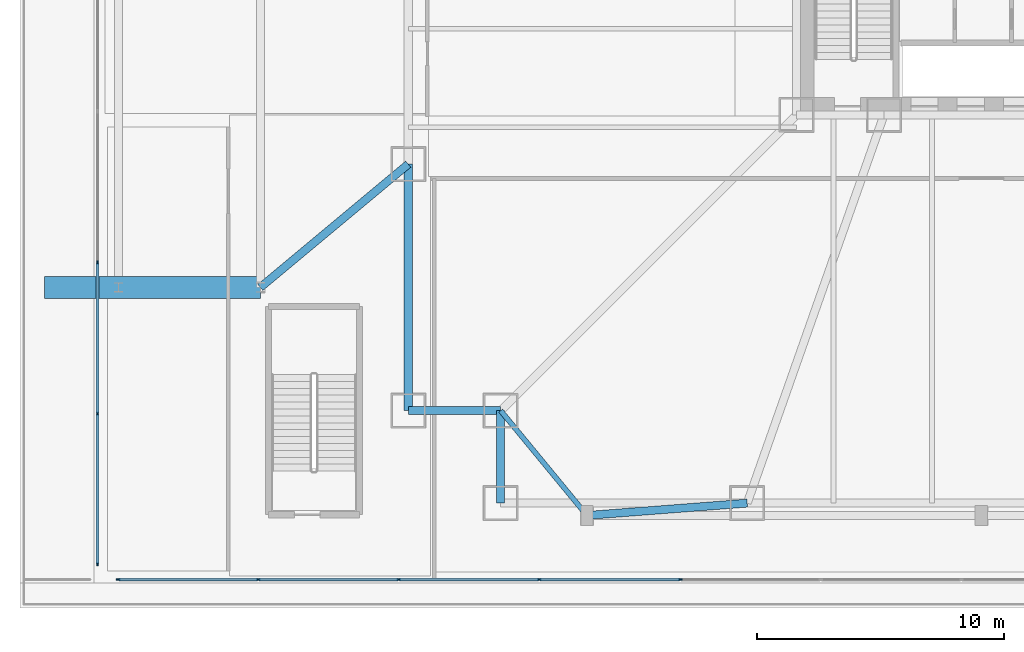
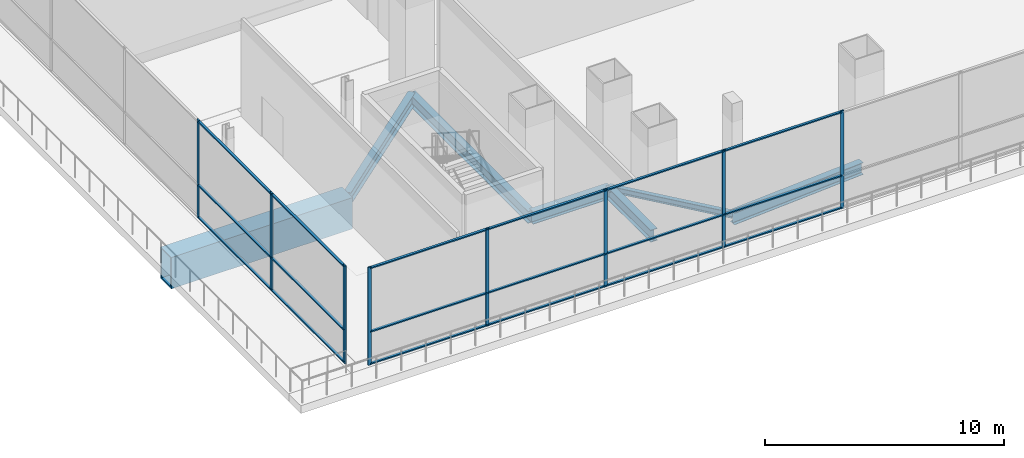
# One storey, part 5 of 35: 26 members, 7 beams, 2 elements without a shape of their own.
"""IFC4 building model written with IfcOpenShell, lengths in metres."""

from ifc_helpers import new_model, si_unit, direction, frame, origin, origin_2d, place, context, subcontext, project, spatial, rectangle, hollow_rectangle, i_section, extrude, material, layer, layer_set, material_profile, profile_set, type_object, element, aggregate, save


model = new_model("IFC4")

# Units and contexts
model_context = context("Model", 3, precision=1e-05, world=origin(), true_north=direction((0.0, 1.0)))
body_context = subcontext(model_context, "Body", "Model", "MODEL_VIEW")
ifc_project = project(units=[si_unit("LENGTHUNIT", "METRE"), si_unit("AREAUNIT", "SQUARE_METRE"), si_unit("VOLUMEUNIT", "CUBIC_METRE"), si_unit("PLANEANGLEUNIT", "RADIAN"), si_unit("MASSUNIT", "GRAM", prefix="KILO")], contexts=[model_context])

# Site, building, storey
site_placement = place(None, origin())
site = spatial("IfcSite", under=ifc_project, at=site_placement, CompositionType="ELEMENT")
building_placement = place(site_placement, origin())
building = spatial("IfcBuilding", under=site, at=building_placement, Name="Trevonay Congress Spire", CompositionType="ELEMENT")
storey_placement = place(building_placement, frame((0.0, 0.0, 10.800048828125)))
storey = spatial("IfcBuildingStorey", under=building, at=storey_placement, Name="L02", CompositionType="ELEMENT", Elevation=10.800048828125)

# Beams
ifc_material_1 = material(Name="Steel ASTM A572 Grade 50", Category="steel")
ifc_material_profile_1 = material_profile(ifc_material_1, i_section(OverallWidth=0.324951171875, OverallDepth=0.615966796875, WebThickness=0.013916015625, FlangeThickness=0.021484375, FilletRadius=0.01806640625, at=origin_2d()), Name="W610x174")
ifc_profile_set_1 = profile_set([ifc_material_profile_1], Name="Steel ASTM A572 Grade 50")
beam_type_1 = type_object("IfcBeamType", Name="BM-GIRD-W610X174", PredefinedType="BEAM", material=ifc_profile_set_1)
beam_1_placement = place(storey_placement, frame((-19.5, -23.25, -0.7080078125), z_axis=(0.0, 1.0, 0.0), x_axis=(-1.0, 0.0, 0.0)))
element("IfcBeam", 1, at=beam_1_placement, inside=storey, type_object=beam_type_1, Name="L02 structural beam BM-L02-CSW", PredefinedType="BEAM", context=body_context, shape_type="SweptSolid", body=[
    extrude(i_section(OverallWidth=0.324951171875, OverallDepth=0.615966796875, WebThickness=0.013916015625, FlangeThickness=0.021484375, FilletRadius=0.01806640625, at=origin_2d()), origin(), (0.0, 0.0, 1.0), 3.75),
])
beam_2_placement = place(storey_placement, frame((-23.25, -19.5, -0.7080078125), z_axis=(0.0, 1.0, 0.0), x_axis=(-1.0, 0.0, 0.0)))
element("IfcBeam", 2, at=beam_2_placement, inside=storey, type_object=beam_type_1, Name="L02 structural beam BM-L02-MW1", PredefinedType="BEAM", context=body_context, shape_type="SweptSolid", body=[
    extrude(i_section(OverallWidth=0.324951171875, OverallDepth=0.615966796875, WebThickness=0.013916015625, FlangeThickness=0.021484375, FilletRadius=0.01806640625, at=origin_2d()), origin(), (0.0, 0.0, 1.0), 10.0),
])
beam_3_placement = place(storey_placement, frame((-23.25, -19.5, -0.7080078125), z_axis=(1.0, 0.0, 0.0), x_axis=(0.0, 1.0, 0.0)))
element("IfcBeam", 3, at=beam_3_placement, inside=storey, type_object=beam_type_1, Name="L02 structural beam BM-L02-CWS", PredefinedType="BEAM", context=body_context, shape_type="SweptSolid", body=[
    extrude(i_section(OverallWidth=0.324951171875, OverallDepth=0.615966796875, WebThickness=0.013916015625, FlangeThickness=0.021484375, FilletRadius=0.01806640625, at=origin_2d()), origin(), (0.0, 0.0, 1.0), 3.75),
])
beam_4_placement = place(storey_placement, frame((-23.25, -9.5, -0.7080078125), z_axis=(-0.768221279597, -0.640184399664, 0.0), x_axis=(0.640184399664, -0.768221279597, 0.0)))
element("IfcBeam", 4, at=beam_4_placement, inside=storey, type_object=beam_type_1, Name="L02 structural beam BM-L02-POD-WT1", PredefinedType="BEAM", context=body_context, shape_type="SweptSolid", body=[
    extrude(i_section(OverallWidth=0.324951171875, OverallDepth=0.615966796875, WebThickness=0.013916015625, FlangeThickness=0.021484375, FilletRadius=0.01806640625, at=origin_2d()), origin(), (0.0, 0.0, 1.0), 7.810302734375),
])
beam_5_placement = place(storey_placement, frame((-9.5, -23.25, -0.7080078125), z_axis=(-0.997054485502, -0.076696498885, 0.0), x_axis=(0.076696498885, -0.997054485502, 0.0)))
element("IfcBeam", 5, at=beam_5_placement, inside=storey, type_object=beam_type_1, Name="L02 structural beam BM-L02-PIL-TS1", PredefinedType="BEAM", context=body_context, shape_type="SweptSolid", body=[
    extrude(i_section(OverallWidth=0.324951171875, OverallDepth=0.615966796875, WebThickness=0.013916015625, FlangeThickness=0.021484375, FilletRadius=0.01806640625, at=origin_2d()), origin(), (0.0, 0.0, 1.0), 6.519287109375),
])
ifc_material_profile_2 = material_profile(ifc_material_1, hollow_rectangle(XDim=0.89990234375, YDim=1.60009765625, WallThickness=0.06005859375, at=origin_2d()), Name="BOX 1600x900x60")
ifc_profile_set_2 = profile_set([ifc_material_profile_2], Name="Steel ASTM A572 Grade 50")
beam_type_2 = type_object("IfcBeamType", Name="BM-XFER-BOX1600", PredefinedType="BEAM", material=ifc_profile_set_2)
beam_6_placement = place(storey_placement, frame((-29.25, -14.5, -1.199951171875), z_axis=(-1.0, 0.0, 0.0), x_axis=(0.0, -1.0, 0.0)))
element("IfcBeam", 6, at=beam_6_placement, inside=storey, type_object=beam_type_2, Name="L02 structural beam BM-L02-EXW-S", PredefinedType="BEAM", context=body_context, shape_type="SweptSolid", body=[
    extrude(hollow_rectangle(XDim=0.89990234375, YDim=1.60009765625, WallThickness=0.06005859375, at=origin_2d()), origin(), (0.0, 0.0, 1.0), 8.75),
])

# Curtain wall, members
ifc_material_2 = material(Name="Pale Anodised Aluminium EN AW-6063-T6", Category="aluminium")
ifc_layer = layer(ifc_material_2, 0.179931640625, Name="Pale Anodised Aluminium EN AW-6063-T6")
ifc_layer_set = layer_set([ifc_layer], Name="Pale Anodised Aluminium EN AW-6063-T6")
curtain_wall_type = type_object("IfcCurtainWallType", Name="CW-SYS01-PODIUM-PALE-METAL", PredefinedType="NOTDEFINED", material=ifc_layer_set)
curtain_wall_1_placement = place(storey_placement, origin())
curtain_wall_1 = element("IfcCurtainWall", 7, at=curtain_wall_1_placement, inside=storey, type_object=curtain_wall_type, Name="L02 W1 podium curtain wall", PredefinedType="NOTDEFINED")
ifc_material_profile_3 = material_profile(ifc_material_2, rectangle(XDim=0.06005859375, YDim=0.159912109375, at=origin_2d()), Name="CW-MULLION-160-ALUMINIUM")
ifc_profile_set_3 = profile_set([ifc_material_profile_3], Name="Pale Anodised Aluminium EN AW-6063-T6")
member_type_1 = type_object("IfcMemberType", Name="CW-MULLION-160-ALUMINIUM", PredefinedType="MULLION", material=ifc_profile_set_3)
member_1_placement = place(storey_placement, frame((-35.85009765625, -25.719970703125, 0.0), z_axis=(0.0, 0.0, 1.0), x_axis=(-1.0, 0.0, 0.0)))
member_1 = element("IfcMember", 8, at=member_1_placement, type_object=member_type_1, Name="CW01 mullion 1", PredefinedType="MULLION", context=body_context, shape_type="SweptSolid", body=[
    extrude(rectangle(XDim=0.06005859375, YDim=0.159912109375, at=origin_2d()), origin(), (0.0, 0.0, 1.0), 5.0),
])
member_2_placement = place(storey_placement, frame((-35.85009765625, -19.6201171875, 0.0), z_axis=(0.0, 0.0, 1.0), x_axis=(-1.0, 0.0, 0.0)))
member_2 = element("IfcMember", 9, at=member_2_placement, type_object=member_type_1, Name="CW01 mullion 2", PredefinedType="MULLION", context=body_context, shape_type="SweptSolid", body=[
    extrude(rectangle(XDim=0.06005859375, YDim=0.159912109375, at=origin_2d()), origin(), (0.0, 0.0, 1.0), 5.0),
])
member_3_placement = place(storey_placement, frame((-35.85009765625, -13.489990234375, 0.0), z_axis=(0.0, 0.0, 1.0), x_axis=(-1.0, 0.0, 0.0)))
member_3 = element("IfcMember", 10, at=member_3_placement, type_object=member_type_1, Name="CW01 mullion 3", PredefinedType="MULLION", context=body_context, shape_type="SweptSolid", body=[
    extrude(rectangle(XDim=0.06005859375, YDim=0.159912109375, at=origin_2d()), origin(), (0.0, 0.0, 1.0), 5.0),
])

curtain_wall_2_placement = place(storey_placement, origin())
curtain_wall_2 = element("IfcCurtainWall", 11, at=curtain_wall_2_placement, inside=storey, type_object=curtain_wall_type, Name="L02 S1 podium curtain wall", PredefinedType="NOTDEFINED")
member_4_placement = place(storey_placement, frame((-35.02001953125, -26.35009765625, 0.0), z_axis=(0.0, 0.0, 1.0), x_axis=(0.0, 1.0, 0.0)))
member_4 = element("IfcMember", 12, at=member_4_placement, type_object=member_type_1, Name="CW01 mullion 1", PredefinedType="MULLION", context=body_context, shape_type="SweptSolid", body=[
    extrude(rectangle(XDim=0.06005859375, YDim=0.159912109375, at=origin_2d()), origin(), (0.0, 0.0, 1.0), 5.0),
])
member_5_placement = place(storey_placement, frame((-29.3427734375, -26.35009765625, 0.0), z_axis=(0.0, 0.0, 1.0), x_axis=(0.0, 1.0, 0.0)))
member_5 = element("IfcMember", 13, at=member_5_placement, type_object=member_type_1, Name="CW01 mullion 2", PredefinedType="MULLION", context=body_context, shape_type="SweptSolid", body=[
    extrude(rectangle(XDim=0.06005859375, YDim=0.159912109375, at=origin_2d()), origin(), (0.0, 0.0, 1.0), 5.0),
])
member_6_placement = place(storey_placement, frame((-23.6357421875, -26.35009765625, 0.0), z_axis=(0.0, 0.0, 1.0), x_axis=(0.0, 1.0, 0.0)))
member_6 = element("IfcMember", 14, at=member_6_placement, type_object=member_type_1, Name="CW01 mullion 3", PredefinedType="MULLION", context=body_context, shape_type="SweptSolid", body=[
    extrude(rectangle(XDim=0.06005859375, YDim=0.159912109375, at=origin_2d()), origin(), (0.0, 0.0, 1.0), 5.0),
])
member_7_placement = place(storey_placement, frame((-17.928466796875, -26.35009765625, 0.0), z_axis=(0.0, 0.0, 1.0), x_axis=(0.0, 1.0, 0.0)))
member_7 = element("IfcMember", 15, at=member_7_placement, type_object=member_type_1, Name="CW01 mullion 4", PredefinedType="MULLION", context=body_context, shape_type="SweptSolid", body=[
    extrude(rectangle(XDim=0.06005859375, YDim=0.159912109375, at=origin_2d()), origin(), (0.0, 0.0, 1.0), 5.0),
])
member_8_placement = place(storey_placement, frame((-12.221435546875, -26.35009765625, 0.0), z_axis=(0.0, 0.0, 1.0), x_axis=(0.0, 1.0, 0.0)))
member_8 = element("IfcMember", 16, at=member_8_placement, type_object=member_type_1, Name="CW01 mullion 5", PredefinedType="MULLION", context=body_context, shape_type="SweptSolid", body=[
    extrude(rectangle(XDim=0.06005859375, YDim=0.159912109375, at=origin_2d()), origin(), (0.0, 0.0, 1.0), 5.0),
])

# Member
ifc_material_profile_4 = material_profile(ifc_material_2, rectangle(XDim=0.1201171875, YDim=0.06005859375, at=origin_2d()), Name="CW-TRANSOM-120-ALUMINIUM")
ifc_profile_set_4 = profile_set([ifc_material_profile_4], Name="Pale Anodised Aluminium EN AW-6063-T6")
member_type_2 = type_object("IfcMemberType", Name="CW-TRANSOM-120-ALUMINIUM", PredefinedType="USERDEFINED", material=ifc_profile_set_4)
member_9_placement = place(storey_placement, frame((-35.85009765625, -25.68994140625, 0.06005859375), z_axis=(0.0, 1.0, 0.0), x_axis=(-1.0, 0.0, 0.0)))
member_9 = element("IfcMember", 17, at=member_9_placement, type_object=member_type_2, Name="CW01 transom 1.1", ObjectType="TRANSOM", PredefinedType="USERDEFINED", context=body_context, shape_type="SweptSolid", body=[
    extrude(rectangle(XDim=0.1201171875, YDim=0.06005859375, at=origin_2d()), origin(), (0.0, 0.0, 1.0), 6.0400390625),
])

member_10_placement = place(storey_placement, frame((-35.85009765625, -25.68994140625, 1.699951171875), z_axis=(0.0, 1.0, 0.0), x_axis=(-1.0, 0.0, 0.0)))
member_10 = element("IfcMember", 18, at=member_10_placement, type_object=member_type_2, Name="CW01 transom 1.2", ObjectType="TRANSOM", PredefinedType="USERDEFINED", context=body_context, shape_type="SweptSolid", body=[
    extrude(rectangle(XDim=0.1201171875, YDim=0.06005859375, at=origin_2d()), origin(), (0.0, 0.0, 1.0), 6.0400390625),
])

member_11_placement = place(storey_placement, frame((-35.85009765625, -25.68994140625, 4.93994140625), z_axis=(0.0, 1.0, 0.0), x_axis=(-1.0, 0.0, 0.0)))
member_11 = element("IfcMember", 19, at=member_11_placement, type_object=member_type_2, Name="CW01 transom 1.3", ObjectType="TRANSOM", PredefinedType="USERDEFINED", context=body_context, shape_type="SweptSolid", body=[
    extrude(rectangle(XDim=0.1201171875, YDim=0.06005859375, at=origin_2d()), origin(), (0.0, 0.0, 1.0), 6.0400390625),
])

member_12_placement = place(storey_placement, frame((-35.85009765625, -19.590087890625, 0.06005859375), z_axis=(0.0, 1.0, 0.0), x_axis=(-1.0, 0.0, 0.0)))
member_12 = element("IfcMember", 20, at=member_12_placement, type_object=member_type_2, Name="CW01 transom 2.1", ObjectType="TRANSOM", PredefinedType="USERDEFINED", context=body_context, shape_type="SweptSolid", body=[
    extrude(rectangle(XDim=0.1201171875, YDim=0.06005859375, at=origin_2d()), origin(), (0.0, 0.0, 1.0), 6.070068359375),
])

member_13_placement = place(storey_placement, frame((-35.85009765625, -19.590087890625, 1.699951171875), z_axis=(0.0, 1.0, 0.0), x_axis=(-1.0, 0.0, 0.0)))
member_13 = element("IfcMember", 21, at=member_13_placement, type_object=member_type_2, Name="CW01 transom 2.2", ObjectType="TRANSOM", PredefinedType="USERDEFINED", context=body_context, shape_type="SweptSolid", body=[
    extrude(rectangle(XDim=0.1201171875, YDim=0.06005859375, at=origin_2d()), origin(), (0.0, 0.0, 1.0), 6.070068359375),
])

member_14_placement = place(storey_placement, frame((-35.85009765625, -19.590087890625, 4.93994140625), z_axis=(0.0, 1.0, 0.0), x_axis=(-1.0, 0.0, 0.0)))
member_14 = element("IfcMember", 22, at=member_14_placement, type_object=member_type_2, Name="CW01 transom 2.3", ObjectType="TRANSOM", PredefinedType="USERDEFINED", context=body_context, shape_type="SweptSolid", body=[
    extrude(rectangle(XDim=0.1201171875, YDim=0.06005859375, at=origin_2d()), origin(), (0.0, 0.0, 1.0), 6.070068359375),
])

aggregate(curtain_wall_1, [member_1, member_2, member_3, member_9, member_10, member_11, member_12, member_13, member_14])

member_15_placement = place(storey_placement, frame((-34.989990234375, -26.35009765625, 0.06005859375), z_axis=(1.0, 0.0, 0.0), x_axis=(0.0, 1.0, 0.0)))
member_15 = element("IfcMember", 23, at=member_15_placement, type_object=member_type_2, Name="CW01 transom 1.1", ObjectType="TRANSOM", PredefinedType="USERDEFINED", context=body_context, shape_type="SweptSolid", body=[
    extrude(rectangle(XDim=0.1201171875, YDim=0.06005859375, at=origin_2d()), origin(), (0.0, 0.0, 1.0), 5.6171875),
])

member_16_placement = place(storey_placement, frame((-34.989990234375, -26.35009765625, 1.699951171875), z_axis=(1.0, 0.0, 0.0), x_axis=(0.0, 1.0, 0.0)))
member_16 = element("IfcMember", 24, at=member_16_placement, type_object=member_type_2, Name="CW01 transom 1.2", ObjectType="TRANSOM", PredefinedType="USERDEFINED", context=body_context, shape_type="SweptSolid", body=[
    extrude(rectangle(XDim=0.1201171875, YDim=0.06005859375, at=origin_2d()), origin(), (0.0, 0.0, 1.0), 5.6171875),
])

member_17_placement = place(storey_placement, frame((-34.989990234375, -26.35009765625, 4.93994140625), z_axis=(1.0, 0.0, 0.0), x_axis=(0.0, 1.0, 0.0)))
member_17 = element("IfcMember", 25, at=member_17_placement, type_object=member_type_2, Name="CW01 transom 1.3", ObjectType="TRANSOM", PredefinedType="USERDEFINED", context=body_context, shape_type="SweptSolid", body=[
    extrude(rectangle(XDim=0.1201171875, YDim=0.06005859375, at=origin_2d()), origin(), (0.0, 0.0, 1.0), 5.6171875),
])

member_18_placement = place(storey_placement, frame((-29.312744140625, -26.35009765625, 0.06005859375), z_axis=(1.0, 0.0, 0.0), x_axis=(0.0, 1.0, 0.0)))
member_18 = element("IfcMember", 26, at=member_18_placement, type_object=member_type_2, Name="CW01 transom 2.1", ObjectType="TRANSOM", PredefinedType="USERDEFINED", context=body_context, shape_type="SweptSolid", body=[
    extrude(rectangle(XDim=0.1201171875, YDim=0.06005859375, at=origin_2d()), origin(), (0.0, 0.0, 1.0), 5.64697265625),
])

member_19_placement = place(storey_placement, frame((-29.312744140625, -26.35009765625, 1.699951171875), z_axis=(1.0, 0.0, 0.0), x_axis=(0.0, 1.0, 0.0)))
member_19 = element("IfcMember", 27, at=member_19_placement, type_object=member_type_2, Name="CW01 transom 2.2", ObjectType="TRANSOM", PredefinedType="USERDEFINED", context=body_context, shape_type="SweptSolid", body=[
    extrude(rectangle(XDim=0.1201171875, YDim=0.06005859375, at=origin_2d()), origin(), (0.0, 0.0, 1.0), 5.64697265625),
])

member_20_placement = place(storey_placement, frame((-29.312744140625, -26.35009765625, 4.93994140625), z_axis=(1.0, 0.0, 0.0), x_axis=(0.0, 1.0, 0.0)))
member_20 = element("IfcMember", 28, at=member_20_placement, type_object=member_type_2, Name="CW01 transom 2.3", ObjectType="TRANSOM", PredefinedType="USERDEFINED", context=body_context, shape_type="SweptSolid", body=[
    extrude(rectangle(XDim=0.1201171875, YDim=0.06005859375, at=origin_2d()), origin(), (0.0, 0.0, 1.0), 5.64697265625),
])

member_21_placement = place(storey_placement, frame((-23.605712890625, -26.35009765625, 0.06005859375), z_axis=(1.0, 0.0, 0.0), x_axis=(0.0, 1.0, 0.0)))
member_21 = element("IfcMember", 29, at=member_21_placement, type_object=member_type_2, Name="CW01 transom 3.1", ObjectType="TRANSOM", PredefinedType="USERDEFINED", context=body_context, shape_type="SweptSolid", body=[
    extrude(rectangle(XDim=0.1201171875, YDim=0.06005859375, at=origin_2d()), origin(), (0.0, 0.0, 1.0), 5.647216796875),
])

member_22_placement = place(storey_placement, frame((-23.605712890625, -26.35009765625, 1.699951171875), z_axis=(1.0, 0.0, 0.0), x_axis=(0.0, 1.0, 0.0)))
member_22 = element("IfcMember", 30, at=member_22_placement, type_object=member_type_2, Name="CW01 transom 3.2", ObjectType="TRANSOM", PredefinedType="USERDEFINED", context=body_context, shape_type="SweptSolid", body=[
    extrude(rectangle(XDim=0.1201171875, YDim=0.06005859375, at=origin_2d()), origin(), (0.0, 0.0, 1.0), 5.647216796875),
])

member_23_placement = place(storey_placement, frame((-23.605712890625, -26.35009765625, 4.93994140625), z_axis=(1.0, 0.0, 0.0), x_axis=(0.0, 1.0, 0.0)))
member_23 = element("IfcMember", 31, at=member_23_placement, type_object=member_type_2, Name="CW01 transom 3.3", ObjectType="TRANSOM", PredefinedType="USERDEFINED", context=body_context, shape_type="SweptSolid", body=[
    extrude(rectangle(XDim=0.1201171875, YDim=0.06005859375, at=origin_2d()), origin(), (0.0, 0.0, 1.0), 5.647216796875),
])

member_24_placement = place(storey_placement, frame((-17.898681640625, -26.35009765625, 0.06005859375), z_axis=(1.0, 0.0, 0.0), x_axis=(0.0, 1.0, 0.0)))
member_24 = element("IfcMember", 32, at=member_24_placement, type_object=member_type_2, Name="CW01 transom 4.1", ObjectType="TRANSOM", PredefinedType="USERDEFINED", context=body_context, shape_type="SweptSolid", body=[
    extrude(rectangle(XDim=0.1201171875, YDim=0.06005859375, at=origin_2d()), origin(), (0.0, 0.0, 1.0), 5.647216796875),
])

member_25_placement = place(storey_placement, frame((-17.898681640625, -26.35009765625, 1.699951171875), z_axis=(1.0, 0.0, 0.0), x_axis=(0.0, 1.0, 0.0)))
member_25 = element("IfcMember", 33, at=member_25_placement, type_object=member_type_2, Name="CW01 transom 4.2", ObjectType="TRANSOM", PredefinedType="USERDEFINED", context=body_context, shape_type="SweptSolid", body=[
    extrude(rectangle(XDim=0.1201171875, YDim=0.06005859375, at=origin_2d()), origin(), (0.0, 0.0, 1.0), 5.647216796875),
])

member_26_placement = place(storey_placement, frame((-17.898681640625, -26.35009765625, 4.93994140625), z_axis=(1.0, 0.0, 0.0), x_axis=(0.0, 1.0, 0.0)))
member_26 = element("IfcMember", 34, at=member_26_placement, type_object=member_type_2, Name="CW01 transom 4.3", ObjectType="TRANSOM", PredefinedType="USERDEFINED", context=body_context, shape_type="SweptSolid", body=[
    extrude(rectangle(XDim=0.1201171875, YDim=0.06005859375, at=origin_2d()), origin(), (0.0, 0.0, 1.0), 5.647216796875),
])

aggregate(curtain_wall_2, [member_4, member_5, member_6, member_7, member_8, member_15, member_16, member_17, member_18, member_19, member_20, member_21, member_22, member_23, member_24, member_25, member_26])

# Beam
ifc_material_profile_5 = material_profile(ifc_material_1, i_section(OverallWidth=0.2041015625, OverallDepth=0.305908203125, WebThickness=0.008544921875, FlangeThickness=0.0146484375, FilletRadius=0.010986328125, at=origin_2d()), Name="W310x67")
ifc_profile_set_5 = profile_set([ifc_material_profile_5], Name="Steel ASTM A572 Grade 50")
beam_type_3 = type_object("IfcBeamType", Name="SPB-W310X67", PredefinedType="SPANDREL", material=ifc_profile_set_5)
beam_7_placement = place(storey_placement, frame((-16.0, -23.75, -0.552978515625), z_axis=(-0.635707252861, 0.771930235617, 0.0), x_axis=(-0.771930235617, -0.635707252861, 0.0)))
element("IfcBeam", 35, at=beam_7_placement, inside=storey, type_object=beam_type_3, Name="L02 structural beam SPB-L02-SW", PredefinedType="SPANDREL", context=body_context, shape_type="SweptSolid", body=[
    extrude(i_section(OverallWidth=0.2041015625, OverallDepth=0.305908203125, WebThickness=0.008544921875, FlangeThickness=0.0146484375, FilletRadius=0.010986328125, at=origin_2d()), origin(), (0.0, 0.0, 1.0), 5.505615234375),
])

save(model, "model.ifc")
